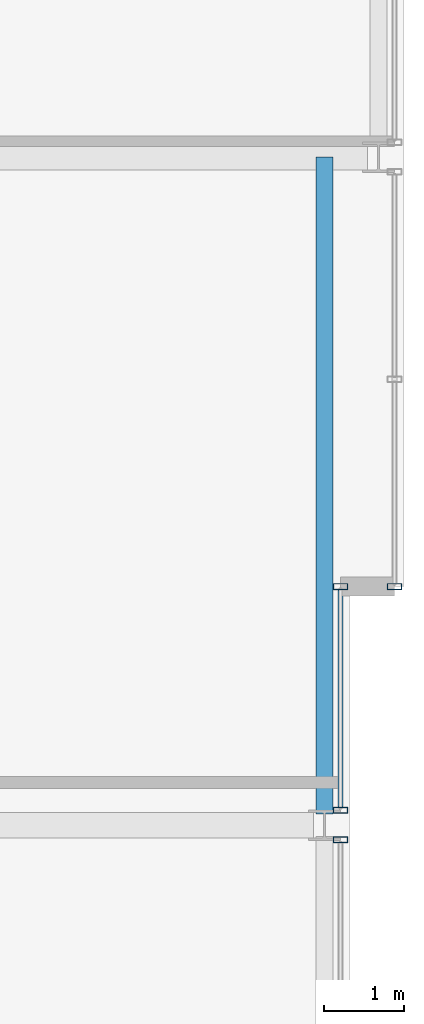
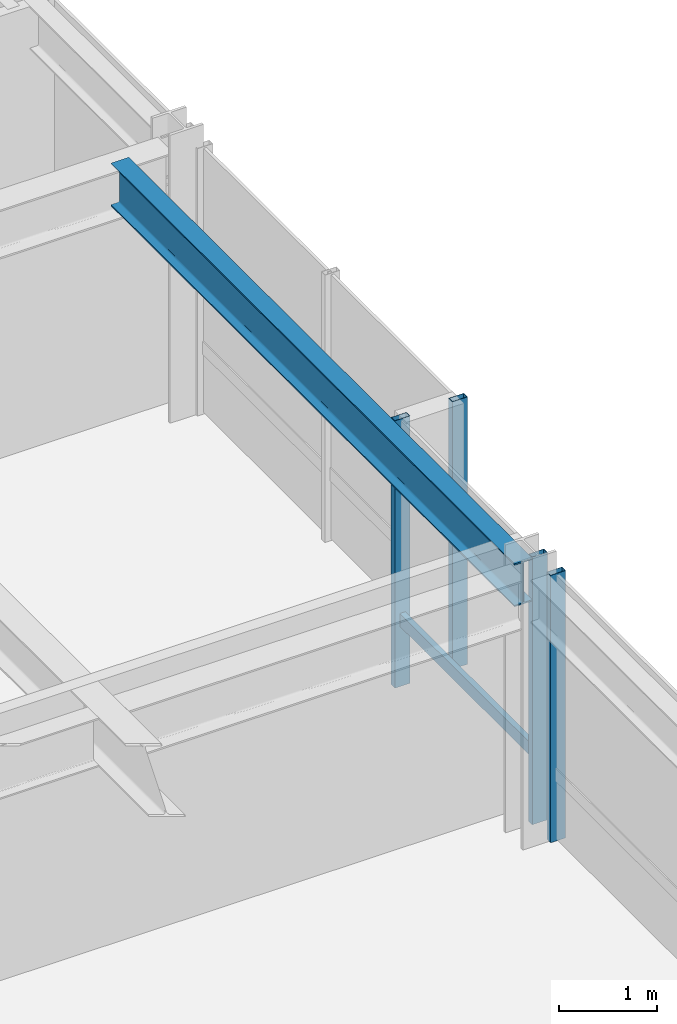
# One storey, part 17 of 32: 5 members, 1 beam, 3 elements without a shape of their own.
"""IFC4 building model written with IfcOpenShell, lengths in metres."""

import ifcopenshell
import ifcopenshell.guid

model = None  # the IFC model being written
_history = None  # IfcOwnerHistory: only IFC2X3 demands one
_inside = {}  # id of a spatial element -> (the spatial element, [elements in it])
_under = {}  # id of a project, library or spatial element -> (it, [spatial elements below it])
_declared = {}  # id of a project -> (the project, [libraries it declares])
_typed = {}  # id of a type object -> (the type object, [elements of that type])
_made_of = {}  # id of a material, layer set ... -> (it, [elements and type objects made of it])


def new_model(schema):
    """Start an empty IFC model of exactly this schema.

    Asked for "IFC4X3", IfcOpenShell would pick the latest addendum, in which some entities
    have other attributes; the version numbers below select the first issue.
    IFC2X3 requires an IfcOwnerHistory on every rooted entity: one is made here for all.
    """
    global model, _history
    if schema == "IFC4X3":
        model = ifcopenshell.file(schema_version=(4, 3, 0, 0))
    else:
        model = ifcopenshell.file(schema=schema)
    _inside.clear()
    _under.clear()
    _declared.clear()
    _typed.clear()
    _made_of.clear()
    _history = None
    if model.schema == "IFC2X3":
        org = make("IfcOrganization", Name="unknown")
        user = make(
            "IfcPersonAndOrganization",
            ThePerson=make("IfcPerson", FamilyName="unknown"),
            TheOrganization=org,
        )
        app = make(
            "IfcApplication",
            ApplicationDeveloper=org,
            Version="unknown",
            ApplicationFullName="unknown",
            ApplicationIdentifier="unknown",
        )
        _history = make(
            "IfcOwnerHistory",
            OwningUser=user,
            OwningApplication=app,
            ChangeAction="ADDED",
            CreationDate=0,
        )
    return model


def make(cls, **values):
    """One entity of the class cls with the attributes given. An attribute that is None is left unset."""
    return model.create_entity(
        cls, **{name: value for name, value in values.items() if value is not None}
    )


def rooted(cls, **values):
    """An entity with a GlobalId (a new one), such as an element, a storey or a relation."""
    return make(cls, GlobalId=ifcopenshell.guid.new(), OwnerHistory=_history, **values)


def si_unit(unit_type, name, prefix=None):
    """IfcSIUnit, for example si_unit("LENGTHUNIT", "METRE", prefix="MILLI")."""
    return make("IfcSIUnit", UnitType=unit_type, Prefix=prefix, Name=name)


def assignment(units):
    """IfcUnitAssignment: the units of a project."""
    return None if units is None else make("IfcUnitAssignment", Units=units)


def point(xyz):
    """IfcCartesianPoint."""
    return None if xyz is None else make("IfcCartesianPoint", Coordinates=xyz)


def direction(xyz):
    """IfcDirection."""
    return None if xyz is None else make("IfcDirection", DirectionRatios=xyz)


def frame(location, z_axis=None, x_axis=None):
    """IfcAxis2Placement3D, a coordinate frame: its origin and axes. An axis left out is left unset."""
    return make(
        "IfcAxis2Placement3D",
        Location=point(location),
        Axis=direction(z_axis),
        RefDirection=direction(x_axis),
    )


def frame_2d(location, x_axis=None):
    """IfcAxis2Placement2D, a coordinate frame in the plane: its origin and x axis."""
    return make(
        "IfcAxis2Placement2D", Location=point(location), RefDirection=direction(x_axis)
    )


def origin():
    """The frame at (0, 0, 0) with its axes left unset."""
    return frame((0.0, 0.0, 0.0))


def origin_2d():
    """The frame at (0, 0) in the plane with its x axis left unset."""
    return frame_2d((0.0, 0.0))


def place(relative_to, where):
    """IfcLocalPlacement: puts the frame where relative to a parent placement (None: the world)."""
    return make(
        "IfcLocalPlacement", PlacementRelTo=relative_to, RelativePlacement=where
    )


def context(
    kind, dimensions, precision=None, world=None, true_north=None, identifier=None
):
    """IfcGeometricRepresentationContext, for example the 3D "Model" context."""
    return make(
        "IfcGeometricRepresentationContext",
        ContextIdentifier=identifier,
        ContextType=kind,
        CoordinateSpaceDimension=dimensions,
        Precision=precision,
        WorldCoordinateSystem=world,
        TrueNorth=true_north,
    )


def subcontext(parent, identifier, kind, view, scale=None):
    """IfcGeometricRepresentationSubContext, for example "Body" below "Model"."""
    return make(
        "IfcGeometricRepresentationSubContext",
        ContextIdentifier=identifier,
        ContextType=kind,
        ParentContext=parent,
        TargetScale=scale,
        TargetView=view,
    )


def project(units=None, contexts=None):
    """IfcProject with its units and contexts."""
    return rooted(
        "IfcProject",
        Name="project",
        RepresentationContexts=contexts,
        UnitsInContext=assignment(units),
    )


def spatial(cls, under=None, at=None, **own):
    """A site, building, storey or space (cls), placed at a placement, below another one or the project."""
    s = rooted(cls, ObjectPlacement=at, **own)
    if under is not None:
        _under.setdefault(under.id(), (under, []))[1].append(s)
    return s


def profile(cls, at=None, kind="AREA", **sizes):
    """A parametric profile (cls). Its sizes go by their IFC names, for example OverallWidth=200.0."""
    return make(cls, ProfileType=kind, Position=at, **sizes)


def hollow_rectangle(**sizes):
    """IfcRectangleHollowProfileDef."""
    return profile("IfcRectangleHollowProfileDef", **sizes)


def i_section(**sizes):
    """IfcIShapeProfileDef."""
    return profile("IfcIShapeProfileDef", **sizes)


def extrude(swept, where, along, depth):
    """IfcExtrudedAreaSolid: the profile swept, set in the frame where, extruded along a direction by depth."""
    return make(
        "IfcExtrudedAreaSolid",
        SweptArea=swept,
        Position=where,
        ExtrudedDirection=direction(along),
        Depth=depth,
    )


def shape(context_of_items, identifier, shape_type, items):
    """IfcShapeRepresentation: the items that make up one representation, for example the "Body"."""
    return make(
        "IfcShapeRepresentation",
        ContextOfItems=context_of_items,
        RepresentationIdentifier=identifier,
        RepresentationType=shape_type,
        Items=items,
    )


def material(Name=None, Category=None):
    """IfcMaterial."""
    return make("IfcMaterial", Name=Name, Category=Category)


def layer(
    of_material, thickness, ventilated=None, Name=None, Category=None, Priority=None
):
    """IfcMaterialLayer: one layer of a wall or slab, of a material (None: an air gap)."""
    return make(
        "IfcMaterialLayer",
        Material=of_material,
        LayerThickness=thickness,
        IsVentilated=ventilated,
        Name=Name,
        Category=Category,
        Priority=Priority,
    )


def layer_set(layers, Name=None):
    """IfcMaterialLayerSet."""
    return make("IfcMaterialLayerSet", MaterialLayers=layers, LayerSetName=Name)


def material_profile(
    of_material, cross_section, Name=None, Category=None, Priority=None
):
    """IfcMaterialProfile: a cross section and its material."""
    return make(
        "IfcMaterialProfile",
        Name=Name,
        Material=of_material,
        Profile=cross_section,
        Priority=Priority,
        Category=Category,
    )


def profile_set(profiles, Name=None, composite=None):
    """IfcMaterialProfileSet."""
    return make(
        "IfcMaterialProfileSet",
        Name=Name,
        MaterialProfiles=profiles,
        CompositeProfile=composite,
    )


def made_of(thing, what):
    """Note that an element or type object is made of a material, layer set ...; save() writes the relation."""
    if what is not None:
        _made_of.setdefault(what.id(), (what, []))[1].append(thing)
    return thing


def type_object(cls, material=None, **own):
    """A type object (cls), such as IfcWallType, which elements share."""
    return made_of(rooted(cls, **own), material)


def element(
    cls,
    number,
    at=None,
    inside=None,
    cuts=None,
    type_object=None,
    material=None,
    context=None,
    identifier="Body",
    shape_type=None,
    held_by="IfcProductDefinitionShape",
    body=None,
    shapes=None,
    **own,
):
    """One element of the class cls, such as IfcWall. Its Tag is "e" and its number.

    at: its placement. inside: the storey or other place that contains it. cuts: it is an
    opening in that element (IfcRelVoidsElement). A single representation is given by context,
    identifier, shape_type and body (its items); several are given by shapes. held_by: the class
    of the entity that holds the representations. save() writes the other relations.
    """
    e = rooted(cls, Tag="e%d" % number, ObjectPlacement=at, **own)
    if body is not None:
        shapes = [shape(context, identifier, shape_type, body)]
    if shapes is not None:
        e.Representation = make(held_by, Representations=shapes)
    if inside is not None:
        _inside.setdefault(inside.id(), (inside, []))[1].append(e)
    if cuts is not None:
        rooted(
            "IfcRelVoidsElement", RelatingBuildingElement=cuts, RelatedOpeningElement=e
        )
    if type_object is not None:
        _typed.setdefault(type_object.id(), (type_object, []))[1].append(e)
    return made_of(e, material)


def aggregate(whole, parts):
    """IfcRelAggregates: a whole, such as a stair, and the parts it consists of."""
    return rooted("IfcRelAggregates", RelatingObject=whole, RelatedObjects=parts)


def save(model, path):
    """Write the relations noted so far, then the file.

    IfcRelAggregates (storeys below a building ...), IfcRelContainedInSpatialStructure (elements
    in a storey), IfcRelDefinesByType, IfcRelAssociatesMaterial and IfcRelDeclares: one each for
    every whole, place, type object, material and project.
    """
    for whole, parts in _under.values():
        aggregate(whole, parts)
    for where, things in _inside.values():
        rooted(
            "IfcRelContainedInSpatialStructure",
            RelatedElements=things,
            RelatingStructure=where,
        )
    for kind, things in _typed.values():
        rooted("IfcRelDefinesByType", RelatedObjects=things, RelatingType=kind)
    for what, things in _made_of.values():
        rooted("IfcRelAssociatesMaterial", RelatedObjects=things, RelatingMaterial=what)
    for by, libraries in _declared.values():
        rooted("IfcRelDeclares", RelatingContext=by, RelatedDefinitions=libraries)
    model.write(path)


model = new_model("IFC4")

# Units and contexts
model_context = context("Model", 3, precision=1e-05, world=origin(), true_north=direction((0.0, 1.0)))
body_context = subcontext(model_context, "Body", "Model", "MODEL_VIEW")
ifc_project = project(units=[si_unit("LENGTHUNIT", "METRE"), si_unit("AREAUNIT", "SQUARE_METRE"), si_unit("VOLUMEUNIT", "CUBIC_METRE"), si_unit("PLANEANGLEUNIT", "RADIAN"), si_unit("MASSUNIT", "GRAM", prefix="KILO")], contexts=[model_context])

# Site, building, storey
site_placement = place(None, origin())
site = spatial("IfcSite", under=ifc_project, at=site_placement, CompositionType="ELEMENT")
building_placement = place(site_placement, origin())
building = spatial("IfcBuilding", under=site, at=building_placement, Name="Drelvath Grand Hotel", CompositionType="ELEMENT")
storey_placement = place(building_placement, frame((0.0, 0.0, 223.10009765625)))
storey = spatial("IfcBuildingStorey", under=building, at=storey_placement, Name="L58", CompositionType="ELEMENT", Elevation=223.10009765625)

# Curtain wall, member
ifc_material_1 = material(Name="Platinum-Mist Anodised Aluminium Frame", Category="aluminium")
ifc_layer = layer(ifc_material_1, 0.199951171875)
ifc_layer_set = layer_set([ifc_layer], Name="Platinum-Mist Anodised Aluminium Frame")
curtain_wall_type = type_object("IfcCurtainWallType", Name="Stick Curtain Wall CW-05 Platinum Mist High-Rise", PredefinedType="NOTDEFINED", material=ifc_layer_set)
curtain_wall_1_placement = place(storey_placement, origin())
curtain_wall_1 = element("IfcCurtainWall", 1, at=curtain_wall_1_placement, inside=storey, type_object=curtain_wall_type, Name="L58 CW-05 Curtain Wall CW05-L58-EM2", PredefinedType="NOTDEFINED")
ifc_material_profile_1 = material_profile(ifc_material_1, hollow_rectangle(XDim=0.06494140625, YDim=0.159912109375, WallThickness=0.00390625, at=origin_2d()), Name="HSS160X65X4")
ifc_profile_set_1 = profile_set([ifc_material_profile_1], Name="Platinum-Mist Anodised Aluminium Frame")
member_type_1 = type_object("IfcMemberType", Name="Curtain Wall Horizontal Transom CW-05 HSS160X65X4", PredefinedType="USERDEFINED", material=ifc_profile_set_1)
member_1_placement = place(storey_placement, frame((21.39990234375, 29.9599609375, 0.8349609375), z_axis=(0.0, -1.0, 0.0), x_axis=(1.0, 0.0, 0.0)))
member_1 = element("IfcMember", 2, at=member_1_placement, type_object=member_type_1, Name="CW05-L58-EM2 Sill Transom", ObjectType="TRANSOM", PredefinedType="USERDEFINED", context=body_context, shape_type="SweptSolid", body=[
    extrude(hollow_rectangle(XDim=0.06494140625, YDim=0.159912109375, WallThickness=0.00390625, at=origin_2d()), origin(), (0.0, 0.0, 1.0), 2.734619140625),
])

curtain_wall_2_placement = place(storey_placement, origin())
curtain_wall_2 = element("IfcCurtainWall", 3, at=curtain_wall_2_placement, inside=storey, type_object=curtain_wall_type, Name="L58 CW-05 Curtain Wall CW05-L58-EN1", PredefinedType="NOTDEFINED")
ifc_material_profile_2 = material_profile(ifc_material_1, hollow_rectangle(XDim=0.074951171875, YDim=0.179931640625, WallThickness=0.0048828125, at=origin_2d()), Name="HSS180X75X5")
ifc_profile_set_2 = profile_set([ifc_material_profile_2], Name="Platinum-Mist Anodised Aluminium Frame")
member_type_2 = type_object("IfcMemberType", Name="Curtain Wall Vertical Mullion CW-05 HSS180X75X5", PredefinedType="MULLION", material=ifc_profile_set_2)
member_2_placement = place(storey_placement, frame((22.080078125, 30.0, 0.0), z_axis=(0.0, 0.0, 1.0), x_axis=(0.0, 1.0, 0.0)))
member_2 = element("IfcMember", 4, at=member_2_placement, type_object=member_type_2, Name="CW05-L58-EN1 Mullion 3", PredefinedType="MULLION", context=body_context, shape_type="SweptSolid", body=[
    extrude(hollow_rectangle(XDim=0.074951171875, YDim=0.179931640625, WallThickness=0.0048828125, at=origin_2d()), origin(), (0.0, 0.0, 1.0), 3.33984375),
])
aggregate(curtain_wall_2, [member_2])

curtain_wall_3_placement = place(storey_placement, origin())
curtain_wall_3 = element("IfcCurtainWall", 5, at=curtain_wall_3_placement, inside=storey, type_object=curtain_wall_type, Name="L58 CW-05 Curtain Wall CW05-L58-EM1", PredefinedType="NOTDEFINED")
member_3_placement = place(storey_placement, frame((21.39990234375, 26.814697265625, 0.0), z_axis=(0.0, 0.0, 1.0), x_axis=(0.0, 1.0, 0.0)))
member_3 = element("IfcMember", 6, at=member_3_placement, type_object=member_type_2, Name="CW05-L58-EM1 Mullion 1", PredefinedType="MULLION", context=body_context, shape_type="SweptSolid", body=[
    extrude(hollow_rectangle(XDim=0.074951171875, YDim=0.179931640625, WallThickness=0.0048828125, at=origin_2d()), origin(), (0.0, 0.0, 1.0), 3.33984375),
])
aggregate(curtain_wall_3, [member_3])

# Member
member_4_placement = place(storey_placement, frame((21.39990234375, 30.0, 0.0), z_axis=(0.0, 0.0, 1.0), x_axis=(0.0, 1.0, 0.0)))
member_4 = element("IfcMember", 7, at=member_4_placement, type_object=member_type_2, Name="CW05-L58-EM2 Mullion 1", PredefinedType="MULLION", context=body_context, shape_type="SweptSolid", body=[
    extrude(hollow_rectangle(XDim=0.074951171875, YDim=0.179931640625, WallThickness=0.0048828125, at=origin_2d()), origin(), (0.0, 0.0, 1.0), 3.33984375),
])

member_5_placement = place(storey_placement, frame((21.39990234375, 27.185302734375, 0.0), z_axis=(0.0, 0.0, 1.0), x_axis=(0.0, 1.0, 0.0)))
member_5 = element("IfcMember", 8, at=member_5_placement, type_object=member_type_2, Name="CW05-L58-EM2 Mullion 2", PredefinedType="MULLION", context=body_context, shape_type="SweptSolid", body=[
    extrude(hollow_rectangle(XDim=0.074951171875, YDim=0.179931640625, WallThickness=0.0048828125, at=origin_2d()), origin(), (0.0, 0.0, 1.0), 3.33984375),
])

aggregate(curtain_wall_1, [member_4, member_5, member_1])

# Beam
ifc_material_2 = material(Name="Steel ASTM A992 Gr 50", Category="steel")
ifc_material_profile_3 = material_profile(ifc_material_2, i_section(OverallWidth=0.210205078125, OverallDepth=0.53662109375, WebThickness=0.010986328125, FlangeThickness=0.017333984375, FilletRadius=0.01806640625, at=origin_2d()), Name="W21X68")
ifc_profile_set_3 = profile_set([ifc_material_profile_3], Name="Steel ASTM A992 Gr 50")
beam_type = type_object("IfcBeamType", Name="Perimeter Spandrel Beam W21X68", PredefinedType="SPANDREL", material=ifc_profile_set_3)
beam_placement = place(storey_placement, frame((21.199951171875, 27.139892578125, 3.071533203125), z_axis=(0.0, 1.0, 0.0), x_axis=(-1.0, 0.0, 0.0)))
element("IfcBeam", 9, at=beam_placement, inside=storey, type_object=beam_type, Name="L58 Spandrel East Mid N", PredefinedType="SPANDREL", context=body_context, shape_type="SweptSolid", body=[
    extrude(i_section(OverallWidth=0.210205078125, OverallDepth=0.53662109375, WebThickness=0.010986328125, FlangeThickness=0.017333984375, FilletRadius=0.01806640625, at=origin_2d()), origin(), (0.0, 0.0, 1.0), 8.260009765625),
])

save(model, "model.ifc")
